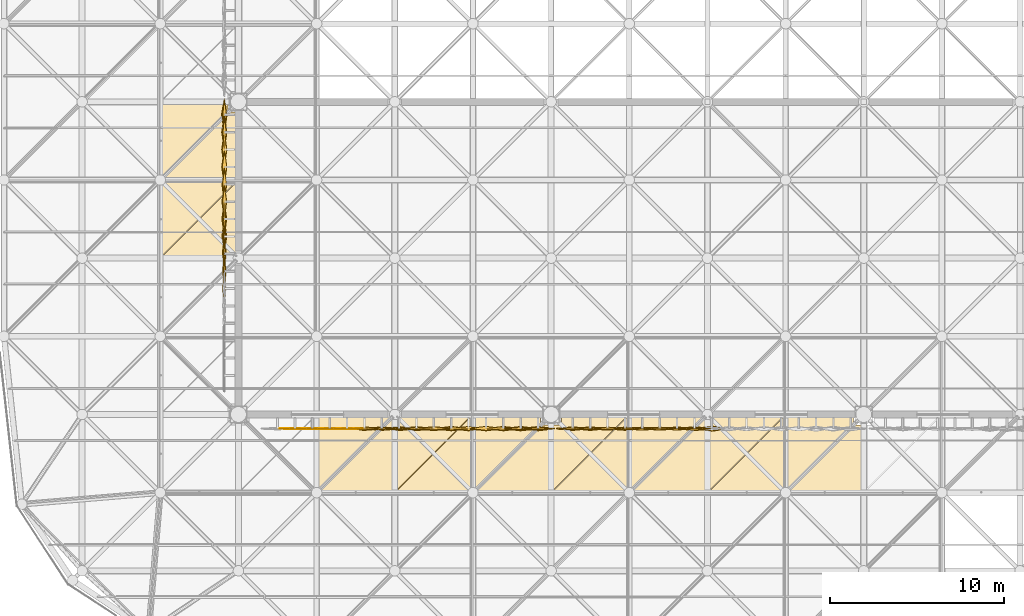
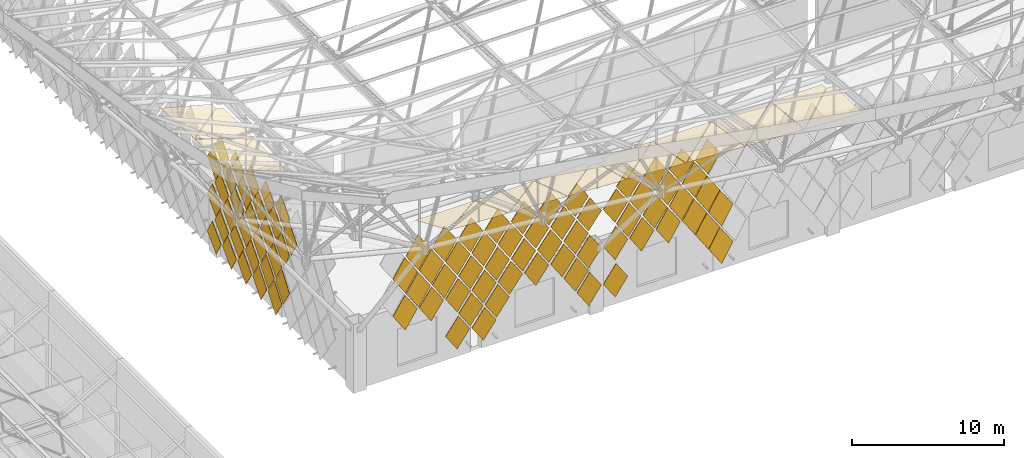
# One storey, part 407 of 437: 105 coverings.
"""IFC4 building model written with IfcOpenShell, lengths in metres."""

from ifc_helpers import new_model, si_unit, direction, frame, origin, place, context, subcontext, project, spatial, polyline, outline, extrude, material, layer, layer_set, material_profile, profile_set, type_object, element, save


model = new_model("IFC4")

# Units and contexts
model_context = context("Model", 3, precision=1e-05, world=origin(), true_north=direction((0.0, 1.0)))
body_context = subcontext(model_context, "Body", "Model", "MODEL_VIEW")
ifc_project = project(units=[si_unit("LENGTHUNIT", "METRE"), si_unit("AREAUNIT", "SQUARE_METRE"), si_unit("VOLUMEUNIT", "CUBIC_METRE"), si_unit("PLANEANGLEUNIT", "RADIAN"), si_unit("MASSUNIT", "GRAM", prefix="KILO")], contexts=[model_context])

# Site, building, storey
site_placement = place(None, origin())
site = spatial("IfcSite", under=ifc_project, at=site_placement, CompositionType="ELEMENT")
building_placement = place(site_placement, origin())
building = spatial("IfcBuilding", under=site, at=building_placement, Name="Opaline Strait Convention Centre", CompositionType="ELEMENT")
storey_placement = place(building_placement, frame((0.0, 0.0, 11.5)))
storey = spatial("IfcBuildingStorey", under=building, at=storey_placement, Name="L02", CompositionType="ELEMENT", Elevation=11.5)

# Coverings
ifc_material_1 = material(Name="White ceramic-faced aluminium tile", Category="aluminium")
ifc_material_profile_1 = material_profile(ifc_material_1, outline(polyline([(0.927978515625, 0.0), (0.0, 1.39208984375), (-0.927978515625, 0.0), (0.0, -1.39208984375), (0.927978515625, 0.0)])), Name="Diamond tile 1856x2784")
ifc_profile_set_1 = profile_set([ifc_material_profile_1], Name="White ceramic-faced aluminium tile")
covering_type_1 = type_object("IfcCoveringType", Name="Diamond wall tile 1856x2784x30 pivot 1 deg", PredefinedType="CLADDING", material=ifc_profile_set_1)
for number, where, z_axis, x_axis, name in (
    (1, (102.25, 53.199951171875, 5.39208984375), (0.0, -0.999867829764, 0.016258013492), (1.0, 0.0, 0.0), "Wall tile XT02 S"),
    (2, (104.25, 53.199951171875, 5.39208984375), (0.0, -0.999702690643, -0.024382992455), (1.0, 0.0, 0.0), "Wall tile XT02 S"),
    (3, (103.25, 53.199951171875, 6.89208984375), (0.0, -0.999867829764, 0.016258013492), (1.0, 0.0, 0.0), "Wall tile XT02 S"),
    (4, (105.25, 53.199951171875, 6.89208984375), (0.0, -0.999702690643, -0.024382992455), (1.0, 0.0, 0.0), "Wall tile XT02 S"),
    (5, (104.25, 53.199951171875, 8.39208984375), (0.0, -0.999867829764, 0.016258013492), (1.0, 0.0, 0.0), "Wall tile XT02 S"),
    (6, (105.25, 53.199951171875, 9.89208984375), (0.0, -0.999867829764, 0.016258013492), (1.0, 0.0, 0.0), "Wall tile XT02 S"),
):
    element("IfcCovering", number, at=place(storey_placement, frame(where, z_axis=z_axis, x_axis=x_axis)), inside=storey, type_object=covering_type_1, Name=name, PredefinedType="CLADDING", context=body_context, shape_type="SweptSolid", body=[
        extrude(outline(polyline([(0.927978515625, 0.0), (0.0, 1.39208984375), (-0.927978515625, 0.0), (0.0, -1.39208984375), (0.927978515625, 0.0)])), origin(), (0.0, 0.0, 1.0), 0.030029296875),
    ])
ifc_material_profile_2 = material_profile(ifc_material_1, outline(polyline([(0.927978515625, 0.0), (0.0, 1.39208984375), (-0.927978515625, 0.0), (0.0, -1.39208984375), (0.927978515625, 0.0)])), Name="Diamond tile 1856x2784")
ifc_profile_set_2 = profile_set([ifc_material_profile_2], Name="White ceramic-faced aluminium tile")
covering_type_2 = type_object("IfcCoveringType", Name="Diamond wall tile 1856x2784x30 pivot 1.5 deg", PredefinedType="CLADDING", material=ifc_profile_set_2)
for number, where, z_axis, x_axis, name in (
    (7, (102.25, 53.199951171875, 8.39208984375), (0.0, -0.999702690643, 0.024382992455), (1.0, 0.0, 0.0), "Wall tile XT03 S"),
    (8, (106.25, 53.199951171875, 8.39208984375), (0.0, -0.999471633277, -0.032503142546), (1.0, 0.0, 0.0), "Wall tile XT03 S"),
    (9, (103.25, 53.199951171875, 9.89208984375), (0.0, -0.999702690643, 0.024382992455), (1.0, 0.0, 0.0), "Wall tile XT03 S"),
    (10, (107.25, 53.199951171875, 9.89208984375), (0.0, -0.999471633277, -0.032503142546), (1.0, 0.0, 0.0), "Wall tile XT03 S"),
    (11, (98.199951171875, 63.25, 1.89208984375), (-0.999471633277, 0.0, -0.032503142546), (0.0, -1.0, 0.0), "Wall tile XT03 W"),
    (12, (98.199951171875, 62.25, 3.39208984375), (-0.999471633277, 0.0, -0.032503142546), (0.0, -1.0, 0.0), "Wall tile XT03 W"),
):
    element("IfcCovering", number, at=place(storey_placement, frame(where, z_axis=z_axis, x_axis=x_axis)), inside=storey, type_object=covering_type_2, Name=name, PredefinedType="CLADDING", context=body_context, shape_type="SweptSolid", body=[
        extrude(outline(polyline([(0.927978515625, 0.0), (0.0, 1.39208984375), (-0.927978515625, 0.0), (0.0, -1.39208984375), (0.927978515625, 0.0)])), origin(), (0.0, 0.0, 1.0), 0.030029296875),
    ])
ifc_material_profile_3 = material_profile(ifc_material_1, outline(polyline([(0.927978515625, 0.0), (0.0, 1.39208984375), (-0.927978515625, 0.0), (0.0, -1.39208984375), (0.927978515625, 0.0)])), Name="Diamond tile 1856x2784")
ifc_profile_set_3 = profile_set([ifc_material_profile_3], Name="White ceramic-faced aluminium tile")
covering_type_3 = type_object("IfcCoveringType", Name="Diamond wall tile 1856x2784x30 pivot 2 deg", PredefinedType="CLADDING", material=ifc_profile_set_3)
for number, where, z_axis, x_axis, name in (
    (13, (116.25, 53.199951171875, 2.39208984375), (0.0, -0.999174794796, -0.040616861577), (1.0, 0.0, 0.0), "Wall tile XT04 S"),
    (14, (118.25, 53.199951171875, 2.39208984375), (0.0, -0.999174794796, -0.040616861577), (1.0, 0.0, 0.0), "Wall tile XT04 S"),
    (15, (118.25, 53.199951171875, 5.39208984375), (0.0, -0.999174794796, -0.040616861577), (1.0, 0.0, 0.0), "Wall tile XT04 S"),
    (16, (120.25, 53.199951171875, 5.39208984375), (0.0, -0.999174794796, -0.040616861577), (1.0, 0.0, 0.0), "Wall tile XT04 S"),
    (17, (122.25, 53.199951171875, 5.39208984375), (0.0, -0.999471633277, 0.032503142546), (1.0, 0.0, 0.0), "Wall tile XT04 S"),
    (18, (119.25, 53.199951171875, 6.89208984375), (0.0, -0.999174794796, -0.040616861577), (1.0, 0.0, 0.0), "Wall tile XT04 S"),
    (19, (121.25, 53.199951171875, 6.89208984375), (0.0, -0.999174794796, -0.040616861577), (1.0, 0.0, 0.0), "Wall tile XT04 S"),
    (20, (123.25, 53.199951171875, 6.89208984375), (0.0, -0.999471633277, 0.032503142546), (1.0, 0.0, 0.0), "Wall tile XT04 S"),
    (21, (108.25, 53.199951171875, 8.39208984375), (0.0, -0.999174794796, -0.040616861577), (1.0, 0.0, 0.0), "Wall tile XT04 S"),
    (22, (120.25, 53.199951171875, 8.39208984375), (0.0, -0.999174794796, -0.040616861577), (1.0, 0.0, 0.0), "Wall tile XT04 S"),
    (23, (122.25, 53.199951171875, 8.39208984375), (0.0, -0.999174794796, -0.040616861577), (1.0, 0.0, 0.0), "Wall tile XT04 S"),
    (24, (124.25, 53.199951171875, 8.39208984375), (0.0, -0.999471633277, 0.032503142546), (1.0, 0.0, 0.0), "Wall tile XT04 S"),
    (25, (109.25, 53.199951171875, 9.89208984375), (0.0, -0.999174794796, -0.040616861577), (1.0, 0.0, 0.0), "Wall tile XT04 S"),
    (26, (123.25, 53.199951171875, 9.89208984375), (0.0, -0.999174794796, -0.040616861577), (1.0, 0.0, 0.0), "Wall tile XT04 S"),
    (27, (125.25, 53.199951171875, 9.89208984375), (0.0, -0.999471633277, 0.032503142546), (1.0, 0.0, 0.0), "Wall tile XT04 S"),
):
    element("IfcCovering", number, at=place(storey_placement, frame(where, z_axis=z_axis, x_axis=x_axis)), inside=storey, type_object=covering_type_3, Name=name, PredefinedType="CLADDING", context=body_context, shape_type="SweptSolid", body=[
        extrude(outline(polyline([(0.927978515625, 0.0), (0.0, 1.39208984375), (-0.927978515625, 0.0), (0.0, -1.39208984375), (0.927978515625, 0.0)])), origin(), (0.0, 0.0, 1.0), 0.030029296875),
    ])
ifc_material_profile_4 = material_profile(ifc_material_1, outline(polyline([(0.927978515625, 0.0), (0.0, 1.39208984375), (-0.927978515625, 0.0), (0.0, -1.39208984375), (0.927978515625, 0.0)])), Name="Diamond tile 1856x2784")
ifc_profile_set_4 = profile_set([ifc_material_profile_4], Name="White ceramic-faced aluminium tile")
covering_type_4 = type_object("IfcCoveringType", Name="Diamond wall tile 1856x2784x30 pivot 2.5 deg", PredefinedType="CLADDING", material=ifc_profile_set_4)
for number, where, z_axis, x_axis, name in (
    (28, (106.25, 53.199951171875, 5.39208984375), (0.0, -0.998812351125, -0.048722553713), (1.0, 0.0, 0.0), "Wall tile XT05 S"),
    (29, (107.25, 53.199951171875, 6.89208984375), (0.0, -0.998812351125, -0.048722553713), (1.0, 0.0, 0.0), "Wall tile XT05 S"),
    (30, (121.25, 53.199951171875, 9.89208984375), (0.0, -0.998812351125, -0.048722553713), (1.0, 0.0, 0.0), "Wall tile XT05 S"),
    (31, (98.199951171875, 65.25, 1.89208984375), (-0.998812351125, 0.0, -0.048722553713), (0.0, -1.0, 0.0), "Wall tile XT05 W"),
    (32, (98.199951171875, 63.25, 4.89208984375), (-0.998812351125, 0.0, -0.048722553713), (0.0, -1.0, 0.0), "Wall tile XT05 W"),
    (33, (98.199951171875, 62.25, 6.39208984375), (-0.998812351125, 0.0, -0.048722553713), (0.0, -1.0, 0.0), "Wall tile XT05 W"),
):
    element("IfcCovering", number, at=place(storey_placement, frame(where, z_axis=z_axis, x_axis=x_axis)), inside=storey, type_object=covering_type_4, Name=name, PredefinedType="CLADDING", context=body_context, shape_type="SweptSolid", body=[
        extrude(outline(polyline([(0.927978515625, 0.0), (0.0, 1.39208984375), (-0.927978515625, 0.0), (0.0, -1.39208984375), (0.927978515625, 0.0)])), origin(), (0.0, 0.0, 1.0), 0.030029296875),
    ])
ifc_material_profile_5 = material_profile(ifc_material_1, outline(polyline([(0.927978515625, 0.0), (0.0, 1.39208984375), (-0.927978515625, 0.0), (0.0, -1.39208984375), (0.927978515625, 0.0)])), Name="Diamond tile 1856x2784")
ifc_profile_set_5 = profile_set([ifc_material_profile_5], Name="White ceramic-faced aluminium tile")
covering_type_5 = type_object("IfcCoveringType", Name="Diamond wall tile 1856x2784x30 pivot 3 deg", PredefinedType="CLADDING", material=ifc_profile_set_5)
for number, where, z_axis, x_axis, name in (
    (34, (115.25, 53.199951171875, 3.89208984375), (0.0, -0.998384516691, -0.056818631031), (1.0, 0.0, 0.0), "Wall tile XT06 S"),
    (35, (124.25, 53.199951171875, 5.39208984375), (0.0, -0.998812351125, 0.048722553713), (1.0, 0.0, 0.0), "Wall tile XT06 S"),
    (36, (125.25, 53.199951171875, 6.89208984375), (0.0, -0.998812351125, 0.048722553713), (1.0, 0.0, 0.0), "Wall tile XT06 S"),
    (37, (110.25, 53.199951171875, 8.39208984375), (0.0, -0.998384516691, -0.056818631031), (1.0, 0.0, 0.0), "Wall tile XT06 S"),
    (38, (98.199951171875, 64.25, 3.39208984375), (-0.998384516691, 0.0, -0.056818631031), (0.0, -1.0, 0.0), "Wall tile XT06 W"),
    (39, (98.199951171875, 61.25, 7.89208984375), (-0.998384516691, 0.0, -0.056818631031), (0.0, -1.0, 0.0), "Wall tile XT06 W"),
):
    element("IfcCovering", number, at=place(storey_placement, frame(where, z_axis=z_axis, x_axis=x_axis)), inside=storey, type_object=covering_type_5, Name=name, PredefinedType="CLADDING", context=body_context, shape_type="SweptSolid", body=[
        extrude(outline(polyline([(0.927978515625, 0.0), (0.0, 1.39208984375), (-0.927978515625, 0.0), (0.0, -1.39208984375), (0.927978515625, 0.0)])), origin(), (0.0, 0.0, 1.0), 0.030029296875),
    ])
ifc_material_profile_6 = material_profile(ifc_material_1, outline(polyline([(0.927978515625, 0.0), (0.0, 1.39208984375), (-0.927978515625, 0.0), (0.0, -1.39208984375), (0.927978515625, 0.0)])), Name="Diamond tile 1856x2784")
ifc_profile_set_6 = profile_set([ifc_material_profile_6], Name="White ceramic-faced aluminium tile")
covering_type_6 = type_object("IfcCoveringType", Name="Diamond wall tile 1856x2784x30 pivot 3.5 deg", PredefinedType="CLADDING", material=ifc_profile_set_6)
for number, where, z_axis, x_axis, name in (
    (40, (106.25, 53.199951171875, 2.39208984375), (0.0, -0.99785694905, -0.065433242561), (1.0, 0.0, 0.0), "Wall tile XT07 S"),
    (41, (107.25, 53.199951171875, 3.89208984375), (0.0, -0.99785694905, -0.065433242561), (1.0, 0.0, 0.0), "Wall tile XT07 S"),
    (42, (108.25, 53.199951171875, 5.39208984375), (0.0, -0.99785694905, -0.065433242561), (1.0, 0.0, 0.0), "Wall tile XT07 S"),
    (43, (116.25, 53.199951171875, 5.39208984375), (0.0, -0.99785694905, -0.065433242561), (1.0, 0.0, 0.0), "Wall tile XT07 S"),
    (44, (109.25, 53.199951171875, 6.89208984375), (0.0, -0.99785694905, -0.065433242561), (1.0, 0.0, 0.0), "Wall tile XT07 S"),
    (45, (118.25, 53.199951171875, 8.39208984375), (0.0, -0.99785694905, -0.065433242561), (1.0, 0.0, 0.0), "Wall tile XT07 S"),
    (46, (111.25, 53.199951171875, 9.89208984375), (0.0, -0.99785694905, -0.065433242561), (1.0, 0.0, 0.0), "Wall tile XT07 S"),
    (47, (119.25, 53.199951171875, 9.89208984375), (0.0, -0.99785694905, -0.065433242561), (1.0, 0.0, 0.0), "Wall tile XT07 S"),
    (48, (98.199951171875, 70.25, 9.39208984375), (-0.99785694905, 0.0, -0.065433242561), (0.0, -1.0, 0.0), "Wall tile XT07 W"),
):
    element("IfcCovering", number, at=place(storey_placement, frame(where, z_axis=z_axis, x_axis=x_axis)), inside=storey, type_object=covering_type_6, Name=name, PredefinedType="CLADDING", context=body_context, shape_type="SweptSolid", body=[
        extrude(outline(polyline([(0.927978515625, 0.0), (0.0, 1.39208984375), (-0.927978515625, 0.0), (0.0, -1.39208984375), (0.927978515625, 0.0)])), origin(), (0.0, 0.0, 1.0), 0.02978515625),
    ])
ifc_material_profile_7 = material_profile(ifc_material_1, outline(polyline([(0.927978515625, 0.0), (0.0, 1.39208984375), (-0.927978515625, 0.0), (0.0, -1.39208984375), (0.927978515625, 0.0)])), Name="Diamond tile 1856x2784")
ifc_profile_set_7 = profile_set([ifc_material_profile_7], Name="White ceramic-faced aluminium tile")
covering_type_7 = type_object("IfcCoveringType", Name="Diamond wall tile 1856x2784x30 pivot 4 deg", PredefinedType="CLADDING", material=ifc_profile_set_7)
for number, where, z_axis, x_axis, name in (
    (49, (108.25, 53.199951171875, 2.39208984375), (0.0, -0.997290013252, -0.073570574748), (1.0, 0.0, 0.0), "Wall tile XT08 S"),
    (50, (109.25, 53.199951171875, 3.89208984375), (0.0, -0.997290013252, -0.073570574748), (1.0, 0.0, 0.0), "Wall tile XT08 S"),
    (51, (110.25, 53.199951171875, 5.39208984375), (0.0, -0.997290013252, -0.073570574748), (1.0, 0.0, 0.0), "Wall tile XT08 S"),
    (52, (114.25, 53.199951171875, 5.39208984375), (0.0, -0.997290013252, -0.073570574748), (1.0, 0.0, 0.0), "Wall tile XT08 S"),
    (53, (115.25, 53.199951171875, 6.89208984375), (0.0, -0.997290013252, -0.073570574748), (1.0, 0.0, 0.0), "Wall tile XT08 S"),
    (54, (98.199951171875, 67.25, 1.89208984375), (-0.997290013252, 0.0, -0.073570574748), (0.0, -1.0, 0.0), "Wall tile XT08 W"),
    (55, (98.199951171875, 66.25, 3.39208984375), (-0.997290013252, 0.0, -0.073570574748), (0.0, -1.0, 0.0), "Wall tile XT08 W"),
    (56, (98.199951171875, 65.25, 4.89208984375), (-0.997290013252, 0.0, -0.073570574748), (0.0, -1.0, 0.0), "Wall tile XT08 W"),
    (57, (98.199951171875, 64.25, 6.39208984375), (-0.997290013252, 0.0, -0.073570574748), (0.0, -1.0, 0.0), "Wall tile XT08 W"),
    (58, (98.199951171875, 71.25, 7.89208984375), (-0.997290013252, 0.0, -0.073570574748), (0.0, -1.0, 0.0), "Wall tile XT08 W"),
    (59, (98.199951171875, 63.25, 7.89208984375), (-0.997290013252, 0.0, -0.073570574748), (0.0, -1.0, 0.0), "Wall tile XT08 W"),
    (60, (98.199951171875, 62.25, 9.39208984375), (-0.997290013252, 0.0, -0.073570574748), (0.0, -1.0, 0.0), "Wall tile XT08 W"),
):
    element("IfcCovering", number, at=place(storey_placement, frame(where, z_axis=z_axis, x_axis=x_axis)), inside=storey, type_object=covering_type_7, Name=name, PredefinedType="CLADDING", context=body_context, shape_type="SweptSolid", body=[
        extrude(outline(polyline([(0.927978515625, 0.0), (0.0, 1.39208984375), (-0.927978515625, 0.0), (0.0, -1.39208984375), (0.927978515625, 0.0)])), origin(), (0.0, 0.0, 1.0), 0.02978515625),
    ])
ifc_material_profile_8 = material_profile(ifc_material_1, outline(polyline([(0.927978515625, 0.0), (0.0, 1.39208984375), (-0.927978515625, 0.0), (0.0, -1.39208984375), (0.927978515625, 0.0)])), Name="Diamond tile 1856x2784")
ifc_profile_set_8 = profile_set([ifc_material_profile_8], Name="White ceramic-faced aluminium tile")
covering_type_8 = type_object("IfcCoveringType", Name="Diamond wall tile 1856x2784x30 pivot 4.5 deg", PredefinedType="CLADDING", material=ifc_profile_set_8)
for number, where, z_axis, x_axis, name in (
    (61, (125.25, 53.199951171875, 3.89208984375), (0.0, -0.997290013252, 0.073570574748), (1.0, 0.0, 0.0), "Wall tile XT09 S"),
    (62, (112.25, 53.199951171875, 5.39208984375), (0.0, -0.996657521232, -0.081693239445), (1.0, 0.0, 0.0), "Wall tile XT09 S"),
    (63, (111.25, 53.199951171875, 6.89208984375), (0.0, -0.996657521232, -0.081693239445), (1.0, 0.0, 0.0), "Wall tile XT09 S"),
    (64, (113.25, 53.199951171875, 6.89208984375), (0.0, -0.996657521232, -0.081693239445), (1.0, 0.0, 0.0), "Wall tile XT09 S"),
    (65, (112.25, 53.199951171875, 8.39208984375), (0.0, -0.996657521232, -0.081693239445), (1.0, 0.0, 0.0), "Wall tile XT09 S"),
    (66, (114.25, 53.199951171875, 8.39208984375), (0.0, -0.996657521232, -0.081693239445), (1.0, 0.0, 0.0), "Wall tile XT09 S"),
    (67, (116.25, 53.199951171875, 8.39208984375), (0.0, -0.996657521232, -0.081693239445), (1.0, 0.0, 0.0), "Wall tile XT09 S"),
    (68, (113.25, 53.199951171875, 9.89208984375), (0.0, -0.996657521232, -0.081693239445), (1.0, 0.0, 0.0), "Wall tile XT09 S"),
    (69, (115.25, 53.199951171875, 9.89208984375), (0.0, -0.996657521232, -0.081693239445), (1.0, 0.0, 0.0), "Wall tile XT09 S"),
):
    element("IfcCovering", number, at=place(storey_placement, frame(where, z_axis=z_axis, x_axis=x_axis)), inside=storey, type_object=covering_type_8, Name=name, PredefinedType="CLADDING", context=body_context, shape_type="SweptSolid", body=[
        extrude(outline(polyline([(0.927978515625, 0.0), (0.0, 1.39208984375), (-0.927978515625, 0.0), (0.0, -1.39208984375), (0.927978515625, 0.0)])), origin(), (0.0, 0.0, 1.0), 0.02978515625),
    ])
ifc_material_profile_9 = material_profile(ifc_material_1, outline(polyline([(0.927978515625, 0.0), (0.0, 1.39208984375), (-0.927978515625, 0.0), (0.0, -1.39208984375), (0.927978515625, 0.0)])), Name="Diamond tile 1856x2784")
ifc_profile_set_9 = profile_set([ifc_material_profile_9], Name="White ceramic-faced aluminium tile")
covering_type_9 = type_object("IfcCoveringType", Name="Diamond wall tile 1856x2784x30 pivot 5 deg", PredefinedType="CLADDING", material=ifc_profile_set_9)
for number, where, z_axis, x_axis, name in (
    (70, (126.25, 53.199951171875, 5.39208984375), (0.0, -0.996657521232, 0.081693239445), (1.0, 0.0, 0.0), "Wall tile XT10 S"),
    (71, (98.199951171875, 67.25, 4.89208984375), (-0.995959849254, 0.0, -0.089799658539), (0.0, -1.0, 0.0), "Wall tile XT10 W"),
    (72, (98.199951171875, 70.25, 6.39208984375), (-0.995959849254, 0.0, -0.089799658539), (0.0, -1.0, 0.0), "Wall tile XT10 W"),
    (73, (98.199951171875, 66.25, 6.39208984375), (-0.995959849254, 0.0, -0.089799658539), (0.0, -1.0, 0.0), "Wall tile XT10 W"),
    (74, (98.199951171875, 69.25, 7.89208984375), (-0.995959849254, 0.0, -0.089799658539), (0.0, -1.0, 0.0), "Wall tile XT10 W"),
    (75, (98.199951171875, 67.25, 7.89208984375), (-0.995959849254, 0.0, -0.089799658539), (0.0, -1.0, 0.0), "Wall tile XT10 W"),
    (76, (98.199951171875, 65.25, 7.89208984375), (-0.995959849254, 0.0, -0.089799658539), (0.0, -1.0, 0.0), "Wall tile XT10 W"),
    (77, (98.199951171875, 68.25, 9.39208984375), (-0.995959849254, 0.0, -0.089799658539), (0.0, -1.0, 0.0), "Wall tile XT10 W"),
    (78, (98.199951171875, 66.25, 9.39208984375), (-0.995959849254, 0.0, -0.089799658539), (0.0, -1.0, 0.0), "Wall tile XT10 W"),
    (79, (98.199951171875, 64.25, 9.39208984375), (-0.995959849254, 0.0, -0.089799658539), (0.0, -1.0, 0.0), "Wall tile XT10 W"),
):
    element("IfcCovering", number, at=place(storey_placement, frame(where, z_axis=z_axis, x_axis=x_axis)), inside=storey, type_object=covering_type_9, Name=name, PredefinedType="CLADDING", context=body_context, shape_type="SweptSolid", body=[
        extrude(outline(polyline([(0.927978515625, 0.0), (0.0, 1.39208984375), (-0.927978515625, 0.0), (0.0, -1.39208984375), (0.927978515625, 0.0)])), origin(), (0.0, 0.0, 1.0), 0.02978515625),
    ])
ifc_material_profile_10 = material_profile(ifc_material_1, outline(polyline([(0.927978515625, 0.0), (0.0, 1.39208984375), (-0.927978515625, 0.0), (0.0, -1.39208984375), (0.927978515625, 0.0)])), Name="Diamond tile 1856x2784")
ifc_profile_set_10 = profile_set([ifc_material_profile_10], Name="White ceramic-faced aluminium tile")
covering_type_10 = type_object("IfcCoveringType", Name="Diamond wall tile 1856x2784x30 pivot 5.5 deg", PredefinedType="CLADDING", material=ifc_profile_set_10)
for number, where, z_axis, x_axis, name in (
    (80, (98.199951171875, 69.25, 1.89208984375), (-0.995197410875, 0.0, -0.097888269922), (0.0, -1.0, 0.0), "Wall tile XT11 W"),
    (81, (98.199951171875, 70.25, 3.39208984375), (-0.995197410875, 0.0, -0.097888269922), (0.0, -1.0, 0.0), "Wall tile XT11 W"),
    (82, (98.199951171875, 68.25, 3.39208984375), (-0.995197410875, 0.0, -0.097888269922), (0.0, -1.0, 0.0), "Wall tile XT11 W"),
    (83, (98.199951171875, 71.25, 4.89208984375), (-0.995197410875, 0.0, -0.097888269922), (0.0, -1.0, 0.0), "Wall tile XT11 W"),
    (84, (98.199951171875, 69.25, 4.89208984375), (-0.995197410875, 0.0, -0.097888269922), (0.0, -1.0, 0.0), "Wall tile XT11 W"),
    (85, (98.199951171875, 68.25, 6.39208984375), (-0.995197410875, 0.0, -0.097888269922), (0.0, -1.0, 0.0), "Wall tile XT11 W"),
):
    element("IfcCovering", number, at=place(storey_placement, frame(where, z_axis=z_axis, x_axis=x_axis)), inside=storey, type_object=covering_type_10, Name=name, PredefinedType="CLADDING", context=body_context, shape_type="SweptSolid", body=[
        extrude(outline(polyline([(0.927978515625, 0.0), (0.0, 1.39208984375), (-0.927978515625, 0.0), (0.0, -1.39208984375), (0.927978515625, 0.0)])), origin(), (0.0, 0.0, 1.0), 0.030029296875),
    ])
ifc_material_profile_11 = material_profile(ifc_material_1, outline(polyline([(0.927978515625, 0.0), (0.0, 1.39208984375), (-0.927978515625, 0.0), (0.0, -1.39208984375), (0.927978515625, 0.0)])), Name="Diamond tile 1856x2784")
ifc_profile_set_11 = profile_set([ifc_material_profile_11], Name="White ceramic-faced aluminium tile")
covering_type_11 = type_object("IfcCoveringType", Name="Diamond wall tile 1856x2784x30 pivot 6 deg", PredefinedType="CLADDING", material=ifc_profile_set_11)
for number, where, z_axis, x_axis, name in (
    (86, (126.25, 53.199951171875, 2.39208984375), (0.0, -0.995197410875, 0.097888269922), (1.0, 0.0, 0.0), "Wall tile XT12 S"),
    (87, (98.199951171875, 71.25, 1.89208984375), (-0.994370656274, 0.0, -0.105957528947), (0.0, -1.0, 0.0), "Wall tile XT12 W"),
):
    element("IfcCovering", number, at=place(storey_placement, frame(where, z_axis=z_axis, x_axis=x_axis)), inside=storey, type_object=covering_type_11, Name=name, PredefinedType="CLADDING", context=body_context, shape_type="SweptSolid", body=[
        extrude(outline(polyline([(0.927978515625, 0.0), (0.0, 1.39208984375), (-0.927978515625, 0.0), (0.0, -1.39208984375), (0.927978515625, 0.0)])), origin(), (0.0, 0.0, 1.0), 0.030029296875),
    ])
ifc_material_2 = material(Name="White aluminium soffit panel", Category="aluminium")
ifc_layer = layer(ifc_material_2, 0.011962890625)
ifc_layer_set = layer_set([ifc_layer], Name="White aluminium soffit panel")
covering_type_12 = type_object("IfcCoveringType", Name="Soffit lining panel 12 aluminium", PredefinedType="CEILING", material=ifc_layer_set)
covering_1_placement = place(storey_placement, frame((94.54833984375, 63.02001953125, 13.585205078125), z_axis=(0.35351681603, 0.0, 0.935428169762), x_axis=(0.683135434977, 0.683135434977, -0.258170399071)))
element("IfcCovering", 88, at=covering_1_placement, inside=storey, type_object=covering_type_12, Name="Soffit lining panel", PredefinedType="CEILING", context=body_context, shape_type="SweptSolid", body=[
    extrude(outline(polyline([(0.0, 0.0), (6.4872064865836325, 0.0), (3.459795740561096, -3.2363903973435684), (0.0, 0.0)])), origin(), (0.0, 0.0, -1.0), 0.011962890625),
])
covering_2_placement = place(storey_placement, frame((94.52001953125, 63.04833984375, 13.610107421875), z_axis=(0.306844161114, 0.052301197228, 0.950321653736), x_axis=(0.0, 0.998488991829, -0.054952099099)))
element("IfcCovering", 89, at=covering_2_placement, inside=storey, type_object=covering_type_12, Name="Soffit lining panel", PredefinedType="CEILING", context=body_context, shape_type="SweptSolid", body=[
    extrude(outline(polyline([(0.0, 0.0), (4.4383470035860055, 1.3877787807814457e-17), (4.51697841296512, -4.656259659467012), (0.0, 0.0)])), origin(), (0.0, 0.0, -1.0), 0.011962890625),
])
covering_3_placement = place(storey_placement, frame((98.97998046875, 67.52001953125, 11.926513671875), z_axis=(0.307234339157, 3.8289778e-05, 0.951633889359), x_axis=(-0.951633890057, -1.221e-09, 0.307234339382)))
element("IfcCovering", 90, at=covering_3_placement, inside=storey, type_object=covering_type_12, Name="Soffit lining panel", PredefinedType="CEILING", context=body_context, shape_type="SweptSolid", body=[
    extrude(outline(polyline([(0.0, 0.0), (4.656923543805586, 0.0), (0.5797525404116165, -3.8798828160523158), (-4.739186572779309e-09, -3.8798828096558378), (0.0, 0.0)])), origin(), (0.0, 0.0, -1.0), 0.011962890625),
])
covering_4_placement = place(storey_placement, frame((98.39990234375, 71.97998046875, 12.096923828125), z_axis=(0.258408382246, 0.053114918056, 0.964574472742), x_axis=(-6.0746812e-05, -0.998486431028, 0.054998576003)))
element("IfcCovering", 91, at=covering_4_placement, inside=storey, type_object=covering_type_12, Name="Soffit lining panel", PredefinedType="CEILING", context=body_context, shape_type="SweptSolid", body=[
    extrude(outline(polyline([(0.0, 0.0), (0.5526011123349966, 0.0), (4.495756493751135, -4.016010420855267), (0.057409503162463064, -4.016324264498761), (0.0, 0.0)])), origin(), (0.0, 0.0, -1.0), 0.011962890625),
])
covering_5_placement = place(storey_placement, frame((103.54833984375, 49.52001953125, 13.781982421875), z_axis=(0.039185826717, 0.353290350991, 0.934692676168), x_axis=(0.677858640096, 0.677858640096, -0.284631916858)))
element("IfcCovering", 92, at=covering_5_placement, inside=storey, type_object=covering_type_12, Name="Soffit lining panel", PredefinedType="CEILING", context=body_context, shape_type="SweptSolid", body=[
    extrude(outline(polyline([(0.0, 0.0), (6.537706186606148, -3.3306690738754696e-16), (3.056907940369046, -3.213918289992146), (0.0, 0.0)])), origin(), (0.0, 0.0, -1.0), 0.011962890625),
])
covering_6_placement = place(storey_placement, frame((103.52001953125, 49.54833984375, 13.759033203125), z_axis=(0.0, 0.387153036095, 0.92201546985), x_axis=(0.0, 0.92201546985, -0.387153036095)))
element("IfcCovering", 93, at=covering_6_placement, inside=storey, type_object=covering_type_12, Name="Soffit lining panel", PredefinedType="CEILING", context=body_context, shape_type="SweptSolid", body=[
    extrude(outline(polyline([(0.0, 0.0), (4.806471008259377, 0.0), (4.806471008259377, -4.431640625), (0.0, 0.0)])), origin(), (0.0, 0.0, -1.0), 0.011962890625),
])
covering_7_placement = place(storey_placement, frame((108.04833984375, 49.52001953125, 13.610107421875), z_axis=(0.052301197228, 0.306844161114, 0.950321653736), x_axis=(0.683135434977, 0.683135434977, -0.258170399071)))
element("IfcCovering", 94, at=covering_7_placement, inside=storey, type_object=covering_type_12, Name="Soffit lining panel", PredefinedType="CEILING", context=body_context, shape_type="SweptSolid", body=[
    extrude(outline(polyline([(0.0, 0.0), (6.4872064865836325, -3.3306690738754696e-16), (3.0903775987257465, -3.1856695405416686), (0.0, 0.0)])), origin(), (0.0, 0.0, -1.0), 0.011962890625),
])
covering_8_placement = place(storey_placement, frame((108.02001953125, 49.54833984375, 13.585205078125), z_axis=(0.0, 0.35351681603, 0.935428169762), x_axis=(0.0, 0.935428169762, -0.35351681603)))
element("IfcCovering", 95, at=covering_8_placement, inside=storey, type_object=covering_type_12, Name="Soffit lining panel", PredefinedType="CEILING", context=body_context, shape_type="SweptSolid", body=[
    extrude(outline(polyline([(0.0, 0.0), (4.737553099483146, 0.0), (4.737553099483146, -4.431640625), (0.0, 0.0)])), origin(), (0.0, 0.0, -1.0), 0.011962890625),
])
covering_9_placement = place(storey_placement, frame((116.42822265625, 53.39990234375, 12.12744140625), z_axis=(0.053114918056, 0.258408382246, 0.964574472742), x_axis=(0.998486431028, 6.0746812e-05, -0.054998576003)))
element("IfcCovering", 96, at=covering_9_placement, inside=storey, type_object=covering_type_12, Name="Soffit lining panel", PredefinedType="CEILING", context=body_context, shape_type="SweptSolid", body=[
    extrude(outline(polyline([(0.0, 0.0), (0.5526011123349966, 0.0), (0.4951916091725335, -4.01632426449876), (-3.9431553814161373, -4.016010420855267), (0.0, 0.0)])), origin(), (0.0, 0.0, -1.0), 0.011962890625),
])
covering_10_placement = place(storey_placement, frame((112.52001953125, 49.54833984375, 13.357421875), z_axis=(3.8289778e-05, 0.307234339157, 0.951633889359), x_axis=(1.221e-09, 0.951633890057, -0.307234339382)))
element("IfcCovering", 97, at=covering_10_placement, inside=storey, type_object=covering_type_12, Name="Soffit lining panel", PredefinedType="CEILING", context=body_context, shape_type="SweptSolid", body=[
    extrude(outline(polyline([(0.0, 0.0), (4.656923543805586, 0.0), (4.656923548544773, -3.8798828096558378), (4.077171003393969, -3.8798828160523158), (0.0, 0.0)])), origin(), (0.0, 0.0, -1.0), 0.011962890625),
])
covering_11_placement = place(storey_placement, frame((117.04833984375, 49.52001953125, 13.15087890625), z_axis=(0.057279517492, 0.204462037064, 0.977197181881), x_axis=(0.694755567167, 0.694755567167, -0.186089773445)))
element("IfcCovering", 98, at=covering_11_placement, inside=storey, type_object=covering_type_12, Name="Soffit lining panel", PredefinedType="CEILING", context=body_context, shape_type="SweptSolid", body=[
    extrude(outline(polyline([(0.0, 0.0), (6.378704733623482, -2.498001805406602e-16), (3.1272467222075493, -3.150753044515577), (0.0, 0.0)])), origin(), (0.0, 0.0, -1.0), 0.011962890625),
])
covering_12_placement = place(storey_placement, frame((117.02001953125, 53.39990234375, 12.09765625), z_axis=(-2.2585036e-05, 0.258734508722, 0.965948473515), x_axis=(0.999999999745, 5.843528e-06, 2.1815981e-05)))
element("IfcCovering", 99, at=covering_12_placement, inside=storey, type_object=covering_type_12, Name="Soffit lining panel", PredefinedType="CEILING", context=body_context, shape_type="SweptSolid", body=[
    extrude(outline(polyline([(0.0, 0.0), (0.5800781248520558, 0.0), (0.5800781271125641, 0.6005001760855877), (4.431640626130254, 0.6005001760855877), (1.6687313017881944e-09, -3.987357215869144), (0.0, 0.0)])), origin(), (0.0, 0.0, -1.0), 0.011962890625),
])
covering_13_placement = place(storey_placement, frame((121.54833984375, 49.52001953125, 12.905517578125), z_axis=(0.057975053348, 0.148527083203, 0.987207475025), x_axis=(0.699496482848, 0.699496482848, -0.146319311667)))
element("IfcCovering", 100, at=covering_13_placement, inside=storey, type_object=covering_type_12, Name="Soffit lining panel", PredefinedType="CEILING", context=body_context, shape_type="SweptSolid", body=[
    extrude(outline(polyline([(0.0, 0.0), (6.335472348562367, 1.0408340855860843e-16), (3.1379972028547867, -3.1400866675530335), (0.0, 0.0)])), origin(), (0.0, 0.0, -1.0), 0.011962890625),
])
covering_14_placement = place(storey_placement, frame((121.52001953125, 49.54833984375, 12.886474609375), z_axis=(0.0, 0.20479827884, 0.978804201556), x_axis=(0.0, 0.978804201556, -0.20479827884)))
element("IfcCovering", 101, at=covering_14_placement, inside=storey, type_object=covering_type_12, Name="Soffit lining panel", PredefinedType="CEILING", context=body_context, shape_type="SweptSolid", body=[
    extrude(outline(polyline([(0.0, 0.0), (4.527606867598491, 0.0), (4.527606867598491, -4.431640625000001), (0.0, 0.0)])), origin(), (0.0, 0.0, -1.0), 0.011962890625),
])
covering_15_placement = place(storey_placement, frame((126.04833984375, 49.52001953125, 12.657958984375), z_axis=(0.049435444208, 0.10013004148, 0.993745496417), x_axis=(0.703136079276, 0.703136079276, -0.105826783196)))
element("IfcCovering", 102, at=covering_15_placement, inside=storey, type_object=covering_type_12, Name="Soffit lining panel", PredefinedType="CEILING", context=body_context, shape_type="SweptSolid", body=[
    extrude(outline(polyline([(0.0, 0.0), (6.302678465262751, 2.3245294578089215e-16), (3.1393768789643994, -3.1356584005222574), (0.0, 0.0)])), origin(), (0.0, 0.0, -1.0), 0.011962890625),
])
covering_16_placement = place(storey_placement, frame((126.02001953125, 49.54833984375, 12.643310546875), z_axis=(0.0, 0.148830592632, 0.988862707709), x_axis=(0.0, 0.988862707709, -0.148830592632)))
element("IfcCovering", 103, at=covering_16_placement, inside=storey, type_object=covering_type_12, Name="Soffit lining panel", PredefinedType="CEILING", context=body_context, shape_type="SweptSolid", body=[
    extrude(outline(polyline([(0.0, 0.0), (4.4815529905755245, 0.0), (4.4815529905755245, -4.431640625), (0.0, 0.0)])), origin(), (0.0, 0.0, -1.0), 0.011962890625),
])
covering_17_placement = place(storey_placement, frame((134.42822265625, 53.39990234375, 12.049072265625), z_axis=(0.049599843824, 0.050926702176, 0.997469962705), x_axis=(0.998765932458, 1.3918924e-05, -0.049664997408)))
element("IfcCovering", 104, at=covering_17_placement, inside=storey, type_object=covering_type_12, Name="Soffit lining panel", PredefinedType="CEILING", context=body_context, shape_type="SweptSolid", body=[
    extrude(outline(polyline([(0.0, 0.0), (0.5524470586089396, 0.0), (0.542547357085451, -3.8849314764547893), (-3.8945612937055385, -3.8848619369716517), (0.0, 0.0)])), origin(), (0.0, 0.0, -1.0), 0.011962890625),
])
covering_18_placement = place(storey_placement, frame((130.52001953125, 53.97998046875, 11.99072265625), z_axis=(-8.759874e-06, 0.100314471774, 0.994955781267), x_axis=(0.999999999962, 8.78742e-07, 8.715687e-06)))
element("IfcCovering", 105, at=covering_18_placement, inside=storey, type_object=covering_type_12, Name="Soffit lining panel", PredefinedType="CEILING", context=body_context, shape_type="SweptSolid", body=[
    extrude(outline(polyline([(0.0, 0.0), (3.879882812351138, 4.1079857170914737e-22), (3.8798828126488627, -0.5545585364536855), (-2.9772434075163874e-10, -4.454104693749752), (0.0, 0.0)])), origin(), (0.0, 0.0, -1.0), 0.011962890625),
])

save(model, "model.ifc")
